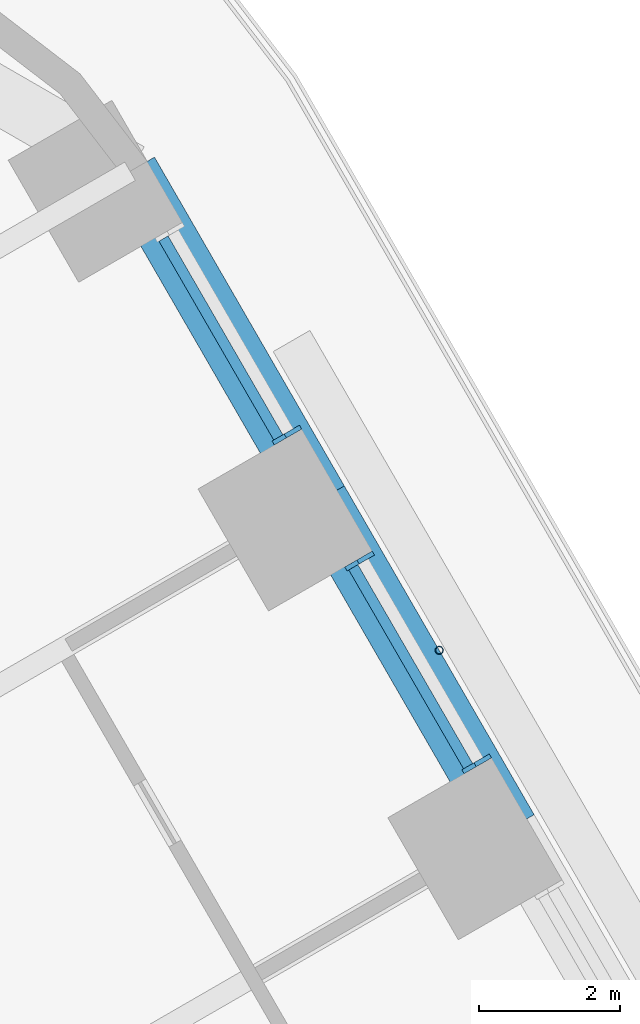
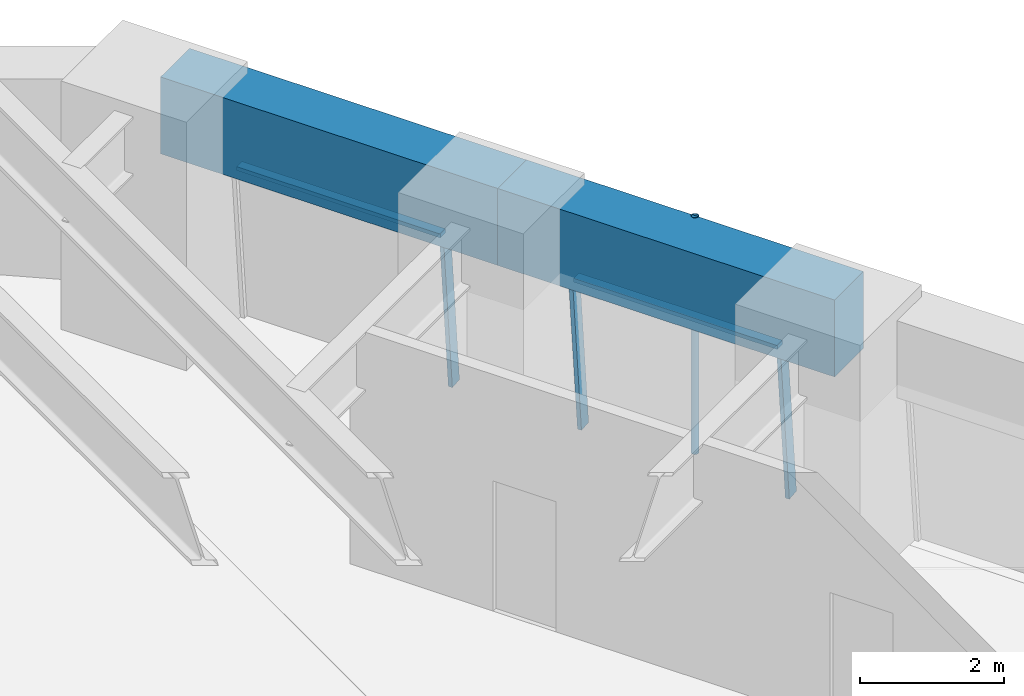
# One storey, part 11 of 24: 6 members, 2 beams, 2 elements without a shape of their own.
"""IFC4 building model written with IfcOpenShell, lengths in metres."""

from ifc_helpers import new_model, si_unit, direction, frame, origin, origin_2d, place, context, subcontext, project, spatial, rectangle, hollow_circle, extrude, material, material_profile, profile_set, type_object, element, aggregate, save


model = new_model("IFC4")

# Units and contexts
model_context = context("Model", 3, precision=1e-05, world=origin(), true_north=direction((0.0, 1.0)))
body_context = subcontext(model_context, "Body", "Model", "MODEL_VIEW")
ifc_project = project(units=[si_unit("LENGTHUNIT", "METRE"), si_unit("AREAUNIT", "SQUARE_METRE"), si_unit("VOLUMEUNIT", "CUBIC_METRE"), si_unit("PLANEANGLEUNIT", "RADIAN"), si_unit("MASSUNIT", "GRAM", prefix="KILO")], contexts=[model_context])

# Site, building, storey
site_placement = place(None, origin())
site = spatial("IfcSite", under=ifc_project, at=site_placement, CompositionType="ELEMENT")
building_placement = place(site_placement, origin())
building = spatial("IfcBuilding", under=site, at=building_placement, Name="Tarfa Lantern Tower", CompositionType="ELEMENT")
storey_placement = place(building_placement, frame((0.0, 0.0, 69.699951171875)))
storey = spatial("IfcBuildingStorey", under=building, at=storey_placement, Name="L15", CompositionType="ELEMENT", Elevation=69.699951171875)

# Curtain wall, members
ifc_material_1 = material(Name="Aluminium framed curtain wall", Category="aluminium")
curtain_wall_type = type_object("IfcCurtainWallType", Name="CW1 CANTED GLAZING LOW ZONE 2700", PredefinedType="USERDEFINED", material=ifc_material_1)
curtain_wall_1_placement = place(storey_placement, origin())
curtain_wall_1 = element("IfcCurtainWall", 1, at=curtain_wall_1_placement, inside=storey, type_object=curtain_wall_type, Name="CW1 NE L15", ObjectType="CURTAIN WALL", PredefinedType="USERDEFINED")
ifc_material_2 = material(Name="Aluminium mullion", Category="aluminium")
ifc_material_profile_1 = material_profile(ifc_material_2, rectangle(XDim=0.06494140625, YDim=0.199951171875, at=origin_2d()), Name="AL MULLION 65x200")
ifc_profile_set_1 = profile_set([ifc_material_profile_1], Name="Aluminium mullion")
member_type_1 = type_object("IfcMemberType", Name="CWM1 MULLION 65x200", PredefinedType="MULLION", material=ifc_profile_set_1)
member_1_placement = place(storey_placement, frame((26.147705078125, 22.5107421875, 0.0), z_axis=(-0.07986442134, -0.046099868913, 0.99573916077), x_axis=(0.499919672301, -0.866071776036, 0.0)))
member_1 = element("IfcMember", 2, at=member_1_placement, type_object=member_type_1, Name="CW1 mullion 1", PredefinedType="MULLION", context=body_context, shape_type="SweptSolid", body=[
    extrude(rectangle(XDim=0.06494140625, YDim=0.199951171875, at=origin_2d()), origin(), (0.0, 0.0, 1.0), 2.71142578125),
])
member_2_placement = place(storey_placement, frame((24.48583984375, 25.38916015625, 0.0), z_axis=(-0.07986442134, -0.046099868913, 0.99573916077), x_axis=(0.499919672301, -0.866071776036, 0.0)))
member_2 = element("IfcMember", 3, at=member_2_placement, type_object=member_type_1, Name="CW1 mullion 2", PredefinedType="MULLION", context=body_context, shape_type="SweptSolid", body=[
    extrude(rectangle(XDim=0.06494140625, YDim=0.199951171875, at=origin_2d()), origin(), (0.0, 0.0, 1.0), 2.71142578125),
])

# Curtain wall, member
curtain_wall_2_placement = place(storey_placement, origin())
curtain_wall_2 = element("IfcCurtainWall", 4, at=curtain_wall_2_placement, inside=storey, type_object=curtain_wall_type, Name="CW1 NE L15", ObjectType="CURTAIN WALL", PredefinedType="USERDEFINED")
member_3_placement = place(storey_placement, frame((23.453369140625, 27.177490234375, 0.0), z_axis=(-0.07986442134, -0.046099868913, 0.99573916077), x_axis=(0.499919672301, -0.866071776036, 0.0)))
member_3 = element("IfcMember", 5, at=member_3_placement, type_object=member_type_1, Name="CW1 mullion 1", PredefinedType="MULLION", context=body_context, shape_type="SweptSolid", body=[
    extrude(rectangle(XDim=0.06494140625, YDim=0.199951171875, at=origin_2d()), origin(), (0.0, 0.0, 1.0), 2.71142578125),
])

# Member
ifc_material_3 = material(Name="Aluminium transom", Category="aluminium")
ifc_material_profile_2 = material_profile(ifc_material_3, rectangle(XDim=0.14990234375, YDim=0.06494140625, at=origin_2d()), Name="AL TRANSOM 150x65")
ifc_profile_set_2 = profile_set([ifc_material_profile_2], Name="Aluminium transom")
member_type_2 = type_object("IfcMemberType", Name="CWT1 TRANSOM 150x65", PredefinedType="USERDEFINED", material=ifc_profile_set_2)
member_4_placement = place(storey_placement, frame((25.91748046875, 22.41552734375, 2.66748046875), z_axis=(-0.499966746847, 0.86604460165, 0.0), x_axis=(-0.86604460165, -0.499966746847, 0.0)))
member_4 = element("IfcMember", 6, at=member_4_placement, type_object=member_type_2, Name="CW1 transom 1.2", ObjectType="TRANSOM", PredefinedType="USERDEFINED", context=body_context, shape_type="SweptSolid", body=[
    extrude(rectangle(XDim=0.14990234375, YDim=0.06494140625, at=origin_2d()), origin(), (0.0, 0.0, 1.0), 3.258544921875),
])

aggregate(curtain_wall_1, [member_1, member_2, member_4])

member_5_placement = place(storey_placement, frame((23.22314453125, 27.082275390625, 2.66748046875), z_axis=(-0.499966746847, 0.86604460165, 0.0), x_axis=(-0.86604460165, -0.499966746847, 0.0)))
member_5 = element("IfcMember", 7, at=member_5_placement, type_object=member_type_2, Name="CW1 transom 1.2", ObjectType="TRANSOM", PredefinedType="USERDEFINED", context=body_context, shape_type="SweptSolid", body=[
    extrude(rectangle(XDim=0.14990234375, YDim=0.06494140625, at=origin_2d()), origin(), (0.0, 0.0, 1.0), 3.258544921875),
])

aggregate(curtain_wall_2, [member_3, member_5])

# Beams
ifc_material_4 = material(Name="Concrete C80/95", Category="concrete")
ifc_material_profile_3 = material_profile(ifc_material_4, rectangle(XDim=0.800048828125, YDim=1.300048828125, at=origin_2d()), Name="RC 800x1300")
ifc_profile_set_3 = profile_set([ifc_material_profile_3], Name="Concrete C80/95")
beam_type = type_object("IfcBeamType", Name="EB1 RC 800x1300", PredefinedType="SPANDREL", material=ifc_profile_set_3)
for number, where, z_axis, x_axis, name in (
    (8, (26.508056640625, 21.526611328125, 3.35009765625), (-0.499998287579, 0.866026392449, 0.0), (-0.866026392449, -0.499998287579, 0.0), "Edge beam NE4"),
    (9, (23.813720703125, 26.193359375, 3.35009765625), (-0.499998287579, 0.866026392449, 0.0), (-0.866026392449, -0.499998287579, 0.0), "Edge beam NE5"),
):
    element("IfcBeam", number, at=place(storey_placement, frame(where, z_axis=z_axis, x_axis=x_axis)), inside=storey, type_object=beam_type, Name=name, PredefinedType="SPANDREL", context=body_context, shape_type="SweptSolid", body=[
        extrude(rectangle(XDim=0.800048828125, YDim=1.300048828125, at=origin_2d()), origin(), (0.0, 0.0, 1.0), 5.388671875),
    ])

# Member
ifc_material_5 = material(Name="Steel S355", Category="steel")
ifc_material_profile_4 = material_profile(ifc_material_5, hollow_circle(Radius=0.05712890625, WallThickness=0.00634765625, at=origin_2d()), Name="CHS114.3x6.3")
ifc_profile_set_4 = profile_set([ifc_material_profile_4], Name="Steel S355")
member_type_3 = type_object("IfcMemberType", Name="TR1 GREEN WALL TRELLIS CHS114.3x6.3", PredefinedType="USERDEFINED", material=ifc_profile_set_4)
member_6_placement = place(storey_placement, frame((25.50732421875, 24.06005859375, 0.0), z_axis=(0.0, 0.0, 1.0), x_axis=(1.0, 0.0, 0.0)))
element("IfcMember", 10, at=member_6_placement, inside=storey, type_object=member_type_3, Name="Trellis post NE 2", ObjectType="TRELLIS", PredefinedType="USERDEFINED", context=body_context, shape_type="SweptSolid", body=[
    extrude(hollow_circle(Radius=0.05712890625, WallThickness=0.00634765625, at=origin_2d()), origin(), (0.0, 0.0, 1.0), 4.0),
])

save(model, "model.ifc")
